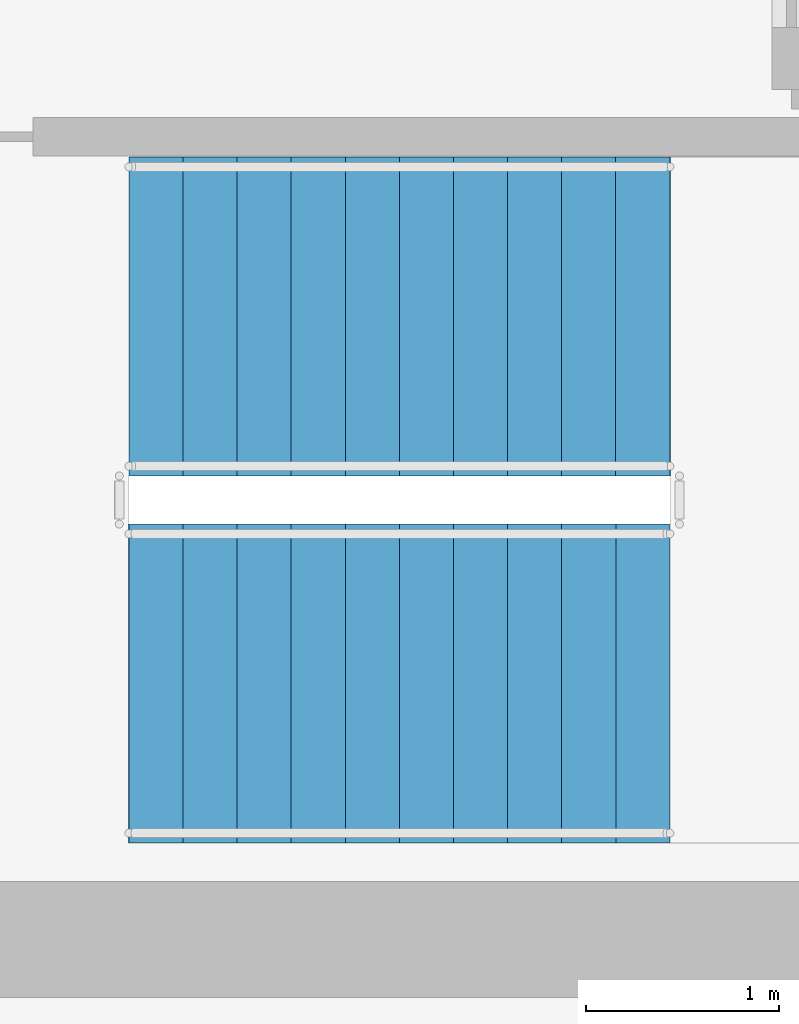
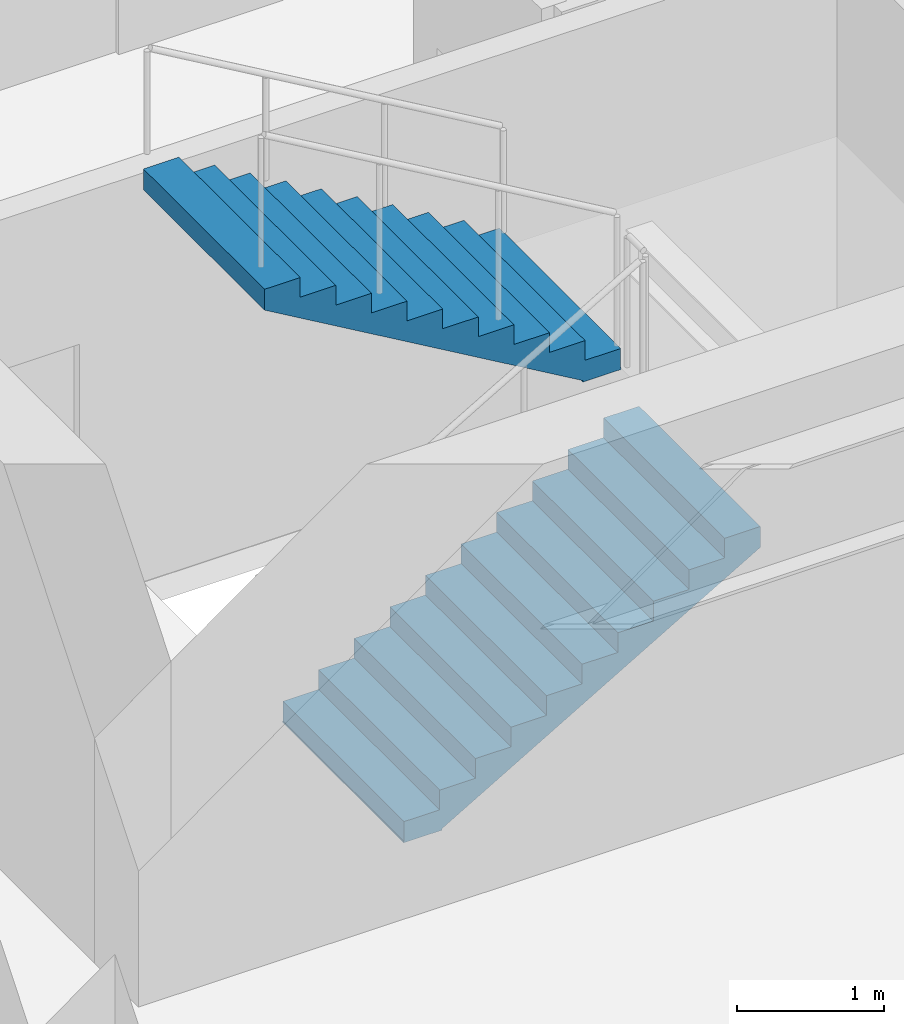
# One storey, part 12 of 14: 2 stair flights, 1 element without a shape of its own.
"""IFC4 building model written with IfcOpenShell, lengths in metres."""

from ifc_helpers import new_model, si_unit, direction, frame, origin, place, context, subcontext, project, spatial, polyline, outline, extrude, source, transform, mapped, material, type_object, element, aggregate, save


model = new_model("IFC4")

# Units and contexts
model_context = context("Model", 3, precision=1e-05, world=origin(), true_north=direction((0.0, 1.0)))
body_context = subcontext(model_context, "Body", "Model", "MODEL_VIEW")
ifc_project = project(units=[si_unit("LENGTHUNIT", "METRE"), si_unit("AREAUNIT", "SQUARE_METRE"), si_unit("VOLUMEUNIT", "CUBIC_METRE"), si_unit("PLANEANGLEUNIT", "RADIAN"), si_unit("MASSUNIT", "GRAM", prefix="KILO")], contexts=[model_context])

# Site, building, storey
site_placement = place(None, origin())
site = spatial("IfcSite", under=ifc_project, at=site_placement, CompositionType="ELEMENT")
building_placement = place(site_placement, origin())
building = spatial("IfcBuilding", under=site, at=building_placement, Name="Kharzan Plaza Tower", CompositionType="ELEMENT")
storey_placement = place(building_placement, frame((0.0, 0.0, 168.300048828125)))
storey = spatial("IfcBuildingStorey", under=building, at=storey_placement, Name="L45", CompositionType="ELEMENT", Elevation=168.300048828125)

# Stair, stair flights
ifc_material = material(Name="Concrete C40/50", Category="concrete")
stair_type = type_object("IfcStairType", Name="STR-ST-3", PredefinedType="HALF_TURN_STAIR", material=ifc_material)
stair_placement = place(storey_placement, origin())
stair = element("IfcStair", 1, at=stair_placement, inside=storey, type_object=stair_type, Name="L45 Protected Exit Stair ST-3", PredefinedType="HALF_TURN_STAIR")
stair_flight_type = type_object("IfcStairFlightType", Name="SFL-1650-R173", PredefinedType="STRAIGHT", material=ifc_material)
shared_shape = source(origin(), body_context, "Body", "SweptSolid", [
    extrude(outline(polyline([(-0.0029296875, -0.011962890625), (-0.0029296875, 0.0), (0.0, 0.0), (0.0, 0.16357421875), (0.280029296875, 0.16357421875), (0.280029296875, 0.3271484375), (0.56005859375, 0.3271484375), (0.56005859375, 0.49072265625), (0.840087890625, 0.49072265625), (0.840087890625, 0.654296875), (1.1201171875, 0.654296875), (1.1201171875, 0.81787109375), (1.400146484375, 0.81787109375), (1.400146484375, 0.9814453125), (1.68017578125, 0.9814453125), (1.68017578125, 1.14501953125), (1.960205078125, 1.14501953125), (1.960205078125, 1.30859375), (2.240234375, 1.30859375), (2.240234375, 1.47216796875), (2.520263671875, 1.47216796875), (2.520263671875, 1.6357421875), (2.80029296875, 1.6357421875), (2.80029296875, 1.79931640625), (2.80029296875, 1.462158203125), (0.297119140625, 0.0), (0.297119140625, -0.011962890625), (-0.0029296875, -0.011962890625)])), frame((0.0, 0.824951171875, 0.0), z_axis=(0.0, -1.0, 0.0), x_axis=(1.0, 0.0, 0.0)), (0.0, 0.0, 1.0), 1.64990234375),
])
stair_flight_1_placement = place(storey_placement, frame((38.25, 5.824951171875, 0.0), z_axis=(0.0, 0.0, 1.0), x_axis=(1.0, 0.0, 0.0)))
stair_flight_1 = element("IfcStairFlight", 2, at=stair_flight_1_placement, type_object=stair_flight_type, Name="ST-3 flight 1", NumberOfRisers=11, NumberOfTreads=10, PredefinedType="STRAIGHT", RiserHeight=0.163636364, TreadLength=0.28, context=body_context, shape_type="MappedRepresentation", body=[
    mapped(shared_shape, transform((0.0, 0.0, 0.0), x_axis=(1.0, 0.0, 0.0), y_axis=(0.0, 1.0, 0.0), z_axis=(0.0, 0.0, 1.0))),
])
stair_flight_2_placement = place(storey_placement, frame((41.050048828125, 7.72509765625, 1.800048828125), z_axis=(0.0, 0.0, 1.0), x_axis=(-1.0, 0.0, 0.0)))
stair_flight_2 = element("IfcStairFlight", 3, at=stair_flight_2_placement, type_object=stair_flight_type, Name="ST-3 flight 2", NumberOfRisers=11, NumberOfTreads=10, PredefinedType="STRAIGHT", RiserHeight=0.163636364, TreadLength=0.28, context=body_context, shape_type="MappedRepresentation", body=[
    mapped(shared_shape, transform((0.0, 0.0, 0.0), x_axis=(1.0, 0.0, 0.0), y_axis=(0.0, 1.0, 0.0), z_axis=(0.0, 0.0, 1.0))),
])
aggregate(stair, [stair_flight_1, stair_flight_2])

save(model, "model.ifc")
